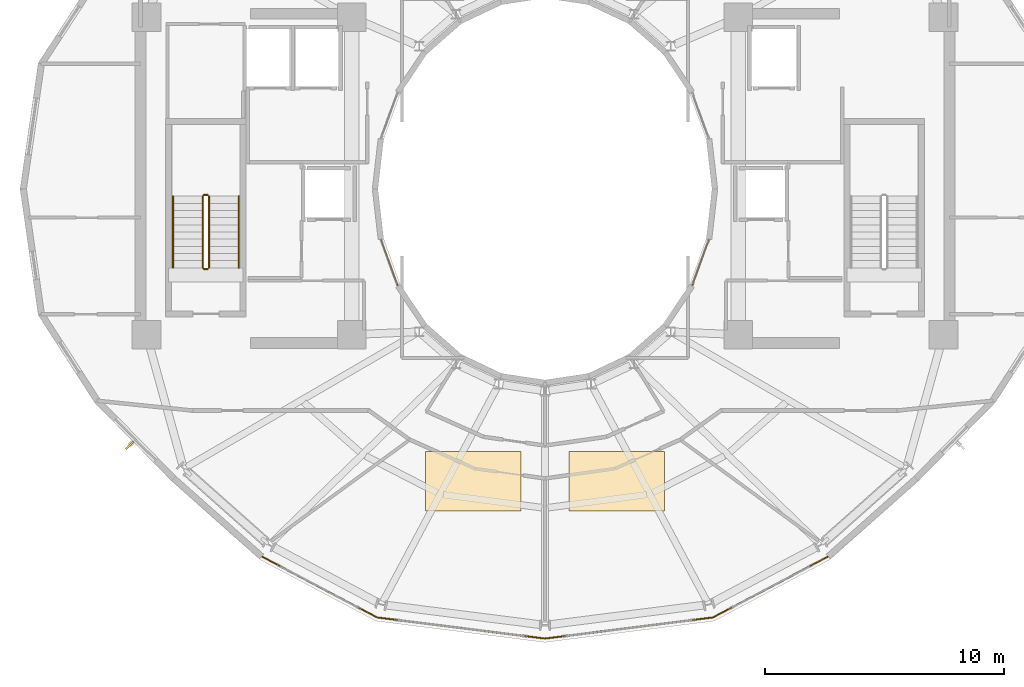
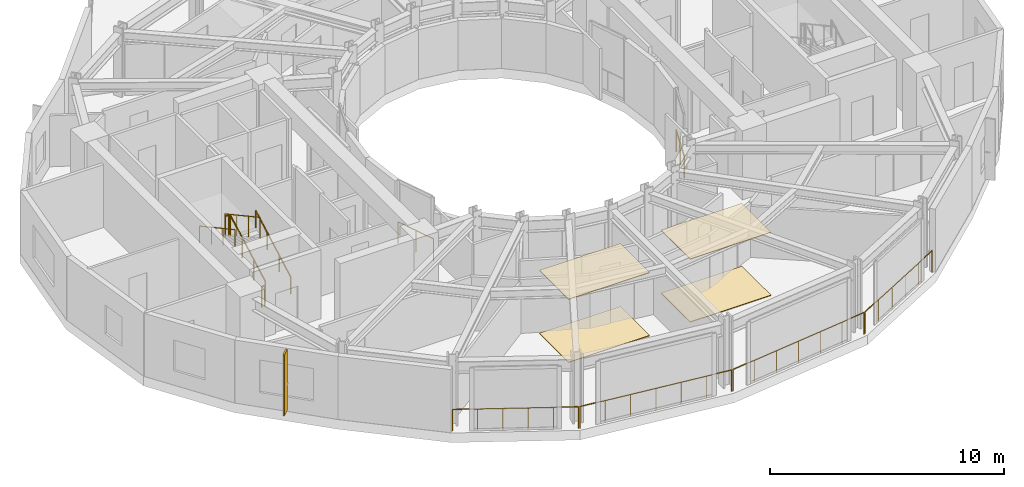
# One storey, part 22 of 25: 12 railings, 4 coverings, 1 shading device.
"""IFC4 building model written with IfcOpenShell, lengths in metres."""

from ifc_helpers import new_model, si_unit, direction, frame, origin, origin_2d, place, context, subcontext, project, spatial, polyline, rectangle, circle, outline, extrude, material, layer, layer_set, type_object, element, save


model = new_model("IFC4")

# Units and contexts
model_context = context("Model", 3, precision=1e-05, world=origin(), true_north=direction((0.0, 1.0)))
body_context = subcontext(model_context, "Body", "Model", "MODEL_VIEW")
ifc_project = project(units=[si_unit("LENGTHUNIT", "METRE"), si_unit("AREAUNIT", "SQUARE_METRE"), si_unit("VOLUMEUNIT", "CUBIC_METRE"), si_unit("PLANEANGLEUNIT", "RADIAN"), si_unit("MASSUNIT", "GRAM", prefix="KILO")], contexts=[model_context])

# Site, building, storey
site_placement = place(None, origin())
site = spatial("IfcSite", under=ifc_project, at=site_placement, CompositionType="ELEMENT")
building_placement = place(site_placement, origin())
building = spatial("IfcBuilding", under=site, at=building_placement, Name="Solvane Sanctuary Tower", CompositionType="ELEMENT")
storey_placement = place(building_placement, frame((0.0, 0.0, 238.800048828125)))
storey = spatial("IfcBuildingStorey", under=building, at=storey_placement, Name="L73", CompositionType="ELEMENT", Elevation=238.800048828125)

# Coverings
ifc_material_1 = material(Name="Acoustic Gypsum Partition Board")
ifc_layer_1 = layer(ifc_material_1, 0.02490234375, Name="Acoustic Gypsum Partition Board")
ifc_layer_set_1 = layer_set([ifc_layer_1], Name="Acoustic Gypsum Partition Board")
covering_type_1 = type_object("IfcCoveringType", Name="Covering CLG-ACOUST", PredefinedType="CEILING", material=ifc_layer_set_1)
covering_1_placement = place(storey_placement, frame((0.0, 0.0, 3.2900390625)))
element("IfcCovering", 1, at=covering_1_placement, inside=storey, type_object=covering_type_1, Name="L73 Sky Dining Acoustic Coffer 9", PredefinedType="CEILING", context=body_context, shape_type="SweptSolid", body=[
    extrude(outline(polyline([(27.0, 9.5), (31.0, 9.5), (31.0, 12.0), (27.0, 12.0), (27.0, 9.5)])), origin(), (0.0, 0.0, 1.0), 0.030029296875),
])
covering_2_placement = place(storey_placement, frame((0.0, 0.0, 3.2900390625)))
element("IfcCovering", 2, at=covering_2_placement, inside=storey, type_object=covering_type_1, Name="L73 Sky Dining Acoustic Coffer 10", PredefinedType="CEILING", context=body_context, shape_type="SweptSolid", body=[
    extrude(outline(polyline([(33.0, 9.5), (37.0, 9.5), (37.0, 12.0), (33.0, 12.0), (33.0, 9.5)])), origin(), (0.0, 0.0, 1.0), 0.030029296875),
])
ifc_material_2 = material(Name="Ceramic Tile Finish")
ifc_layer_2 = layer(ifc_material_2, 0.030029296875, Name="Ceramic Tile Finish")
ifc_layer_set_2 = layer_set([ifc_layer_2], Name="Ceramic Tile Finish")
covering_type_2 = type_object("IfcCoveringType", Name="Covering FLR-TERRAZZO", PredefinedType="FLOORING", material=ifc_layer_set_2)
covering_3_placement = place(storey_placement, origin())
element("IfcCovering", 3, at=covering_3_placement, inside=storey, type_object=covering_type_2, Name="L73 Sky Dining Terrazzo Inlay 9", PredefinedType="FLOORING", context=body_context, shape_type="SweptSolid", body=[
    extrude(outline(polyline([(27.0, 9.5), (31.0, 9.5), (31.0, 12.0), (27.0, 12.0), (27.0, 9.5)])), origin(), (0.0, 0.0, 1.0), 0.034912109375),
])
covering_4_placement = place(storey_placement, origin())
element("IfcCovering", 4, at=covering_4_placement, inside=storey, type_object=covering_type_2, Name="L73 Sky Dining Terrazzo Inlay 10", PredefinedType="FLOORING", context=body_context, shape_type="SweptSolid", body=[
    extrude(outline(polyline([(33.0, 9.5), (37.0, 9.5), (37.0, 12.0), (33.0, 12.0), (33.0, 9.5)])), origin(), (0.0, 0.0, 1.0), 0.034912109375),
])

# Railings
ifc_material_3 = material(Name="Architectural Stainless Steel 316", Category="steel")
railing_type_1 = type_object("IfcRailingType", Name="Railing GR-BALC-1150", PredefinedType="BALUSTRADE", material=ifc_material_3)
railing_1_placement = place(storey_placement, frame((20.156494140625, 7.5869140625, 0.0)))
element("IfcRailing", 5, at=railing_1_placement, inside=storey, type_object=railing_type_1, Name="L73 Curtain-Wall Perimeter Sill Guard 16", PredefinedType="BALUSTRADE", context=body_context, shape_type="SweptSolid", body=[
    extrude(circle(Radius=0.02392578125, at=origin_2d()), frame((0.0, 0.0, 1.1259765625), z_axis=(0.883976980304, -0.467530424992, 0.0), x_axis=(0.467530424992, 0.883976980304, 0.0)), (0.0, 0.0, 1.0), 5.400390625),
    extrude(circle(Radius=0.02099609375, at=origin_2d()), origin(), (0.0, 0.0, 1.0), 1.101806640625),
    extrude(circle(Radius=0.02099609375, at=origin_2d()), frame((0.954833984375, -0.5048828125, 0.0)), (0.0, 0.0, 1.0), 1.101806640625),
    extrude(circle(Radius=0.02099609375, at=origin_2d()), frame((1.90966796875, -1.010009765625, 0.0)), (0.0, 0.0, 1.0), 1.101806640625),
    extrude(circle(Radius=0.02099609375, at=origin_2d()), frame((2.8642578125, -1.514892578125, 0.0)), (0.0, 0.0, 1.0), 1.101806640625),
    extrude(circle(Radius=0.02099609375, at=origin_2d()), frame((3.819091796875, -2.02001953125, 0.0)), (0.0, 0.0, 1.0), 1.101806640625),
    extrude(circle(Radius=0.02099609375, at=origin_2d()), frame((4.77392578125, -2.52490234375, 0.0)), (0.0, 0.0, 1.0), 1.101806640625),
])
railing_2_placement = place(storey_placement, frame((24.98681640625, 5.04443359375, 0.0)))
element("IfcRailing", 6, at=railing_2_placement, inside=storey, type_object=railing_type_1, Name="L73 Curtain-Wall Perimeter Sill Guard 17", PredefinedType="BALUSTRADE", context=body_context, shape_type="SweptSolid", body=[
    extrude(circle(Radius=0.02392578125, at=origin_2d()), frame((0.0, 0.0, 1.1259765625), z_axis=(0.992181523379, -0.124803143655, 0.0), x_axis=(0.124803143655, 0.992181523379, 0.0)), (0.0, 0.0, 1.0), 7.038330078125),
    extrude(circle(Radius=0.02099609375, at=origin_2d()), origin(), (0.0, 0.0, 1.0), 1.101806640625),
    extrude(circle(Radius=0.02099609375, at=origin_2d()), frame((1.163818359375, -0.146484375, 0.0)), (0.0, 0.0, 1.0), 1.101806640625),
    extrude(circle(Radius=0.02099609375, at=origin_2d()), frame((2.327880859375, -0.292724609375, 0.0)), (0.0, 0.0, 1.0), 1.101806640625),
    extrude(circle(Radius=0.02099609375, at=origin_2d()), frame((3.49169921875, -0.439208984375, 0.0)), (0.0, 0.0, 1.0), 1.101806640625),
    extrude(circle(Radius=0.02099609375, at=origin_2d()), frame((4.655517578125, -0.585693359375, 0.0)), (0.0, 0.0, 1.0), 1.101806640625),
    extrude(circle(Radius=0.02099609375, at=origin_2d()), frame((5.819580078125, -0.73193359375, 0.0)), (0.0, 0.0, 1.0), 1.101806640625),
    extrude(circle(Radius=0.02099609375, at=origin_2d()), frame((6.9833984375, -0.87841796875, 0.0)), (0.0, 0.0, 1.0), 1.101806640625),
])
railing_3_placement = place(storey_placement, frame((32.02978515625, 4.166015625, 0.0)))
element("IfcRailing", 7, at=railing_3_placement, inside=storey, type_object=railing_type_1, Name="L73 Curtain-Wall Perimeter Sill Guard 18", PredefinedType="BALUSTRADE", context=body_context, shape_type="SweptSolid", body=[
    extrude(circle(Radius=0.02392578125, at=origin_2d()), frame((0.0, 0.0, 1.1259765625), z_axis=(0.992181523379, 0.124803143655, 0.0), x_axis=(-0.124803143655, 0.992181523379, 0.0)), (0.0, 0.0, 1.0), 7.038330078125),
    extrude(circle(Radius=0.02099609375, at=origin_2d()), origin(), (0.0, 0.0, 1.0), 1.101806640625),
    extrude(circle(Radius=0.02099609375, at=origin_2d()), frame((1.163818359375, 0.146484375, 0.0)), (0.0, 0.0, 1.0), 1.101806640625),
    extrude(circle(Radius=0.02099609375, at=origin_2d()), frame((2.327880859375, 0.292724609375, 0.0)), (0.0, 0.0, 1.0), 1.101806640625),
    extrude(circle(Radius=0.02099609375, at=origin_2d()), frame((3.49169921875, 0.439208984375, 0.0)), (0.0, 0.0, 1.0), 1.101806640625),
    extrude(circle(Radius=0.02099609375, at=origin_2d()), frame((4.655517578125, 0.585693359375, 0.0)), (0.0, 0.0, 1.0), 1.101806640625),
    extrude(circle(Radius=0.02099609375, at=origin_2d()), frame((5.819580078125, 0.73193359375, 0.0)), (0.0, 0.0, 1.0), 1.101806640625),
    extrude(circle(Radius=0.02099609375, at=origin_2d()), frame((6.9833984375, 0.87841796875, 0.0)), (0.0, 0.0, 1.0), 1.101806640625),
])
railing_4_placement = place(storey_placement, frame((39.069580078125, 5.06201171875, 0.0)))
element("IfcRailing", 8, at=railing_4_placement, inside=storey, type_object=railing_type_1, Name="L73 Curtain-Wall Perimeter Sill Guard 19", PredefinedType="BALUSTRADE", context=body_context, shape_type="SweptSolid", body=[
    extrude(circle(Radius=0.02392578125, at=origin_2d()), frame((0.0, 0.0, 1.1259765625), z_axis=(0.883976980304, 0.467530424992, 0.0), x_axis=(-0.467530424992, 0.883976980304, 0.0)), (0.0, 0.0, 1.0), 5.400390625),
    extrude(circle(Radius=0.02099609375, at=origin_2d()), origin(), (0.0, 0.0, 1.0), 1.101806640625),
    extrude(circle(Radius=0.02099609375, at=origin_2d()), frame((0.954833984375, 0.5048828125, 0.0)), (0.0, 0.0, 1.0), 1.101806640625),
    extrude(circle(Radius=0.02099609375, at=origin_2d()), frame((1.90966796875, 1.010009765625, 0.0)), (0.0, 0.0, 1.0), 1.101806640625),
    extrude(circle(Radius=0.02099609375, at=origin_2d()), frame((2.8642578125, 1.514892578125, 0.0)), (0.0, 0.0, 1.0), 1.101806640625),
    extrude(circle(Radius=0.02099609375, at=origin_2d()), frame((3.819091796875, 2.02001953125, 0.0)), (0.0, 0.0, 1.0), 1.101806640625),
    extrude(circle(Radius=0.02099609375, at=origin_2d()), frame((4.77392578125, 2.52490234375, 0.0)), (0.0, 0.0, 1.0), 1.101806640625),
])
railing_5_placement = place(storey_placement, frame((17.919921875, 19.699951171875, 0.16357421875)))
element("IfcRailing", 9, at=railing_5_placement, inside=storey, type_object=railing_type_1, Name="L73 ST-1 stair guard 1", PredefinedType="BALUSTRADE", context=body_context, shape_type="SweptSolid", body=[
    extrude(circle(Radius=0.02392578125, at=origin_2d()), frame((0.0, 0.0, 1.076171875), z_axis=(0.0, 0.877881921179, 0.478877158013), x_axis=(-1.0, 0.0, 0.0)), (0.0, 0.0, 1.0), 3.417236328125),
    extrude(circle(Radius=0.02099609375, at=origin_2d()), origin(), (0.0, 0.0, 1.0), 1.052001953125),
    extrude(circle(Radius=0.02099609375, at=origin_2d()), frame((0.0, 1.0, 0.54541015625)), (0.0, 0.0, 1.0), 1.052001953125),
    extrude(circle(Radius=0.02099609375, at=origin_2d()), frame((0.0, 2.0, 1.091064453125)), (0.0, 0.0, 1.0), 1.052001953125),
    extrude(circle(Radius=0.02099609375, at=origin_2d()), frame((0.0, 3.0, 1.636474609375)), (0.0, 0.0, 1.0), 1.052001953125),
])
railing_6_placement = place(storey_placement, frame((17.8701171875, 22.75, 1.800048828125)))
element("IfcRailing", 10, at=railing_6_placement, inside=storey, type_object=railing_type_1, Name="L73 ST-1 stair guard 2", PredefinedType="BALUSTRADE", context=body_context, shape_type="SweptSolid", body=[
    extrude(circle(Radius=0.02392578125, at=origin_2d()), frame((0.0, 0.0, 1.076171875), z_axis=(-1.0, 0.0, 0.0), x_axis=(0.0, -1.0, 0.0)), (0.0, 0.0, 1.0), 0.16015625),
    extrude(circle(Radius=0.02099609375, at=origin_2d()), origin(), (0.0, 0.0, 1.0), 1.052001953125),
    extrude(circle(Radius=0.02099609375, at=origin_2d()), frame((-0.16015625, 0.0, 0.0)), (0.0, 0.0, 1.0), 1.052001953125),
])
railing_7_placement = place(storey_placement, frame((17.659912109375, 22.699951171875, 1.963623046875)))
element("IfcRailing", 11, at=railing_7_placement, inside=storey, type_object=railing_type_1, Name="L73 ST-1 stair guard 3", PredefinedType="BALUSTRADE", context=body_context, shape_type="SweptSolid", body=[
    extrude(circle(Radius=0.02392578125, at=origin_2d()), frame((0.0, 0.0, 1.076171875), z_axis=(0.0, -0.877911954615, 0.47882209634), x_axis=(1.0, 0.0, 0.0)), (0.0, 0.0, 1.0), 3.417236328125),
    extrude(circle(Radius=0.02099609375, at=origin_2d()), origin(), (0.0, 0.0, 1.0), 1.052001953125),
    extrude(circle(Radius=0.02099609375, at=origin_2d()), frame((0.0, -1.0, 0.54541015625)), (0.0, 0.0, 1.0), 1.052001953125),
    extrude(circle(Radius=0.02099609375, at=origin_2d()), frame((0.0, -2.0, 1.0908203125)), (0.0, 0.0, 1.0), 1.052001953125),
    extrude(circle(Radius=0.02099609375, at=origin_2d()), frame((0.0, -3.0, 1.63623046875)), (0.0, 0.0, 1.0), 1.052001953125),
])
railing_8_placement = place(storey_placement, frame((17.8701171875, 19.64990234375, 0.0)))
element("IfcRailing", 12, at=railing_8_placement, inside=storey, type_object=railing_type_1, Name="L73 ST-1 stair guard 4", PredefinedType="BALUSTRADE", context=body_context, shape_type="SweptSolid", body=[
    extrude(circle(Radius=0.02392578125, at=origin_2d()), frame((0.0, 0.0, 1.076171875), z_axis=(-1.0, 0.0, 0.0), x_axis=(0.0, -1.0, 0.0)), (0.0, 0.0, 1.0), 0.16015625),
    extrude(circle(Radius=0.02099609375, at=origin_2d()), origin(), (0.0, 0.0, 1.0), 1.052001953125),
    extrude(circle(Radius=0.02099609375, at=origin_2d()), frame((-0.16015625, 0.0, 0.0)), (0.0, 0.0, 1.0), 1.052001953125),
])
railing_type_2 = type_object("IfcRailingType", Name="Railing GR-WELL-1150", PredefinedType="GUARDRAIL", material=ifc_material_3)
railing_9_placement = place(storey_placement, frame((25.1396484375, 20.851318359375, 0.0)))
element("IfcRailing", 13, at=railing_9_placement, inside=storey, type_object=railing_type_2, Name="L73 Light-Well Glazing Sill Guard 13", PredefinedType="GUARDRAIL", context=body_context, shape_type="SweptSolid", body=[
    extrude(circle(Radius=0.02392578125, at=origin_2d()), frame((0.0, 0.0, 1.1259765625), z_axis=(0.341446556351, -0.939901191166, 0.0), x_axis=(0.939901191166, 0.341446556351, 0.0)), (0.0, 0.0, 1.0), 1.9833984375),
    extrude(circle(Radius=0.02099609375, at=origin_2d()), origin(), (0.0, 0.0, 1.0), 1.101806640625),
    extrude(circle(Radius=0.02099609375, at=origin_2d()), frame((0.338623046875, -0.93212890625, 0.0)), (0.0, 0.0, 1.0), 1.101806640625),
    extrude(circle(Radius=0.02099609375, at=origin_2d()), frame((0.67724609375, -1.8642578125, 0.0)), (0.0, 0.0, 1.0), 1.101806640625),
])
railing_10_placement = place(storey_placement, frame((38.18310546875, 18.987060546875, 0.0)))
element("IfcRailing", 14, at=railing_10_placement, inside=storey, type_object=railing_type_2, Name="L73 Light-Well Glazing Sill Guard 22", PredefinedType="GUARDRAIL", context=body_context, shape_type="SweptSolid", body=[
    extrude(circle(Radius=0.02392578125, at=origin_2d()), frame((0.0, 0.0, 1.1259765625), z_axis=(0.341446556351, 0.939901191166, 0.0), x_axis=(-0.939901191166, 0.341446556351, 0.0)), (0.0, 0.0, 1.0), 1.9833984375),
    extrude(circle(Radius=0.02099609375, at=origin_2d()), origin(), (0.0, 0.0, 1.0), 1.101806640625),
    extrude(circle(Radius=0.02099609375, at=origin_2d()), frame((0.338623046875, 0.93212890625, 0.0)), (0.0, 0.0, 1.0), 1.101806640625),
    extrude(circle(Radius=0.02099609375, at=origin_2d()), frame((0.67724609375, 1.8642578125, 0.0)), (0.0, 0.0, 1.0), 1.101806640625),
])
railing_type_3 = type_object("IfcRailingType", Name="Railing HR-STAIR-920", PredefinedType="HANDRAIL", material=ifc_material_3)
railing_11_placement = place(storey_placement, frame((19.169921875, 19.699951171875, 0.16357421875)))
element("IfcRailing", 15, at=railing_11_placement, inside=storey, type_object=railing_type_3, Name="L73 ST-1 stair handrail 1", PredefinedType="HANDRAIL", context=body_context, shape_type="SweptSolid", body=[
    extrude(circle(Radius=0.02392578125, at=origin_2d()), frame((0.0, 0.0, 0.8759765625), z_axis=(0.0, 0.877881921179, 0.478877158013), x_axis=(-1.0, 0.0, 0.0)), (0.0, 0.0, 1.0), 3.417236328125),
    extrude(circle(Radius=0.02099609375, at=origin_2d()), origin(), (0.0, 0.0, 1.0), 0.851806640625),
    extrude(circle(Radius=0.02099609375, at=origin_2d()), frame((0.0, 1.0, 0.54541015625)), (0.0, 0.0, 1.0), 0.851806640625),
    extrude(circle(Radius=0.02099609375, at=origin_2d()), frame((0.0, 2.0, 1.091064453125)), (0.0, 0.0, 1.0), 0.851806640625),
    extrude(circle(Radius=0.02099609375, at=origin_2d()), frame((0.0, 3.0, 1.636474609375)), (0.0, 0.0, 1.0), 0.851806640625),
])
railing_12_placement = place(storey_placement, frame((16.409912109375, 22.699951171875, 1.963623046875)))
element("IfcRailing", 16, at=railing_12_placement, inside=storey, type_object=railing_type_3, Name="L73 ST-1 stair handrail 2", PredefinedType="HANDRAIL", context=body_context, shape_type="SweptSolid", body=[
    extrude(circle(Radius=0.02392578125, at=origin_2d()), frame((0.0, 0.0, 0.8759765625), z_axis=(0.0, -0.877911954615, 0.47882209634), x_axis=(1.0, 0.0, 0.0)), (0.0, 0.0, 1.0), 3.417236328125),
    extrude(circle(Radius=0.02099609375, at=origin_2d()), origin(), (0.0, 0.0, 1.0), 0.851806640625),
    extrude(circle(Radius=0.02099609375, at=origin_2d()), frame((0.0, -1.0, 0.54541015625)), (0.0, 0.0, 1.0), 0.851806640625),
    extrude(circle(Radius=0.02099609375, at=origin_2d()), frame((0.0, -2.0, 1.0908203125)), (0.0, 0.0, 1.0), 0.851806640625),
    extrude(circle(Radius=0.02099609375, at=origin_2d()), frame((0.0, -3.0, 1.63623046875)), (0.0, 0.0, 1.0), 0.851806640625),
])

# Shading device
ifc_material_4 = material(Name="Anodised Aluminium 6063-T6", Category="aluminium")
ifc_layer_3 = layer(ifc_material_4, 0.080078125, Name="Anodised Aluminium 6063-T6")
ifc_layer_set_3 = layer_set([ifc_layer_3], Name="Anodised Aluminium 6063-T6")
shading_device_type = type_object("IfcShadingDeviceType", Name="Shading SHD-FIN", PredefinedType="USERDEFINED", material=ifc_layer_set_3)
shading_device_placement = place(storey_placement, frame((14.59814453125, 12.263916015625, 0.050048828125), z_axis=(0.0, 0.0, 1.0), x_axis=(0.700625381445, -0.713529309051, 0.0)))
element("IfcShadingDevice", 17, at=shading_device_placement, inside=storey, type_object=shading_device_type, Name="L73 Aerodynamic Vertical Fin 14", ObjectType="FIN", PredefinedType="USERDEFINED", context=body_context, shape_type="SweptSolid", body=[
    extrude(rectangle(XDim=0.080078125, YDim=0.449951171875, at=origin_2d()), origin(), (0.0, 0.0, 1.0), 3.18994140625),
])

save(model, "model.ifc")
